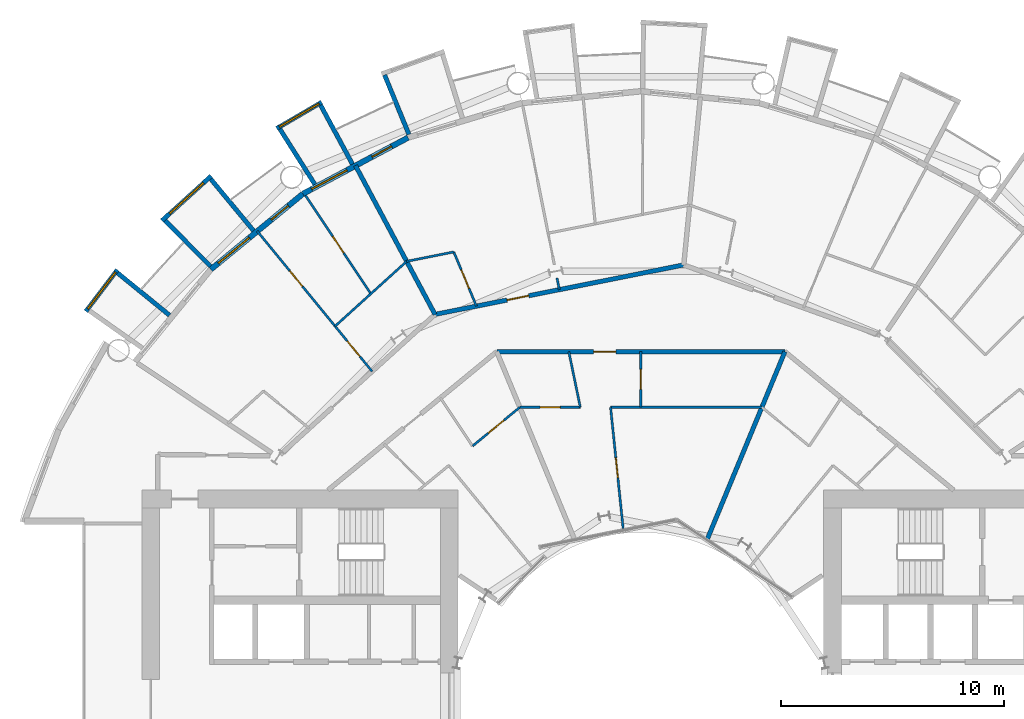
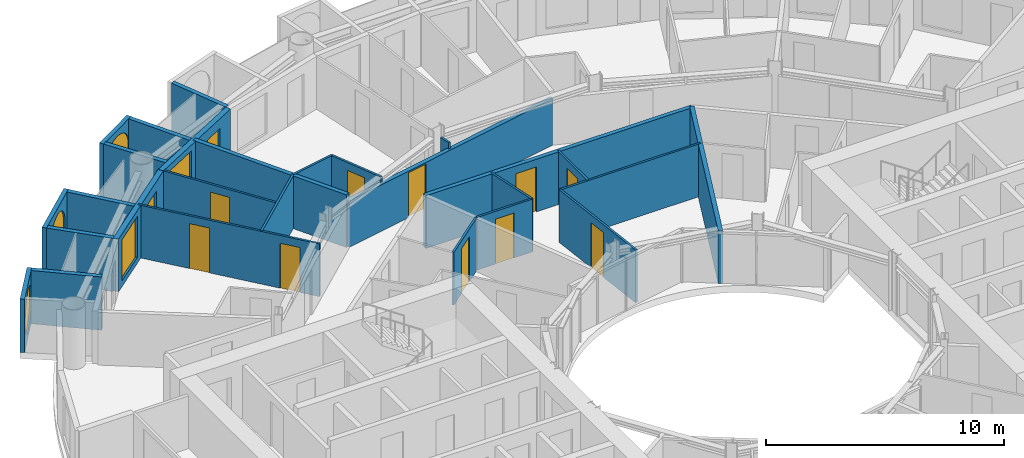
# One storey, part 19 of 26: 27 walls, 12 doors, 5 windows, 17 openings.
"""IFC4 building model written with IfcOpenShell, lengths in metres."""

from ifc_helpers import new_model, si_unit, direction, frame, frame_2d, origin, place, context, subcontext, project, spatial, rectangle, circle, extrude, material, layer, layer_set, type_object, element, fill, save


model = new_model("IFC4")

# Units and contexts
model_context = context("Model", 3, precision=1e-05, world=origin(), true_north=direction((0.0, 1.0)))
body_context = subcontext(model_context, "Body", "Model", "MODEL_VIEW")
ifc_project = project(units=[si_unit("LENGTHUNIT", "METRE"), si_unit("AREAUNIT", "SQUARE_METRE"), si_unit("VOLUMEUNIT", "CUBIC_METRE"), si_unit("PLANEANGLEUNIT", "RADIAN"), si_unit("MASSUNIT", "GRAM", prefix="KILO")], contexts=[model_context])

# Site, building, storey
site_placement = place(None, origin())
site = spatial("IfcSite", under=ifc_project, at=site_placement, CompositionType="ELEMENT")
building_placement = place(site_placement, origin())
building = spatial("IfcBuilding", under=site, at=building_placement, Name="Maasbend Ring Residences", CompositionType="ELEMENT")
storey_placement = place(building_placement, frame((0.0, 0.0, 35.0)))
storey = spatial("IfcBuildingStorey", under=building, at=storey_placement, Name="L09", CompositionType="ELEMENT", Elevation=35.0)

# Wall, opening, door
ifc_material_1 = material(Name="Concrete C30/37", Category="concrete")
ifc_layer_1 = layer(ifc_material_1, 0.199951171875)
ifc_layer_set_1 = layer_set([ifc_layer_1], Name="Concrete C30/37")
wall_type_1 = type_object("IfcWallType", Name="CORRIDOR WALL 200 CONCRETE", PredefinedType="PARTITIONING", material=ifc_layer_set_1)
wall_1_placement = place(storey_placement, frame((-6.467041015625, 15.614013671875, 0.0), z_axis=(0.0, 0.0, 1.0), x_axis=(1.0, 0.0, 0.0)))
wall_1 = element("IfcWall", 1, at=wall_1_placement, inside=storey, type_object=wall_type_1, Name="U-L09-w102", PredefinedType="PARTITIONING", context=body_context, shape_type="SweptSolid", body=[
    extrude(rectangle(XDim=12.93408203125, YDim=0.199951171875, at=frame_2d((6.467041015625, 0.0))), origin(), (0.0, 0.0, 1.0), 2.699951171875),
])
opening_1_placement = place(wall_1_placement, frame((4.35009765625, 0.0, 0.0)))
opening_1 = element("IfcOpeningElement", 2, at=opening_1_placement, cuts=wall_1, Name="Opening D-0925", PredefinedType="OPENING", context=body_context, shape_type="SweptSolid", body=[
    extrude(rectangle(XDim=1.0, YDim=2.300048828125, at=frame_2d((0.5, 1.14990234375))), frame((0.0, 0.10986328125, 0.0), z_axis=(0.0, -1.0, 0.0), x_axis=(1.0, 0.0, 0.0)), (0.0, 0.0, 1.0), 0.219970703125),
])
ifc_material_2 = material(Name="Timber, fire-rated, painted", Category="wood")
door_type_1 = type_object("IfcDoorType", Name="FLAT ENTRANCE DOOR 1000 X 2300 FIRE-RATED", OperationType="NOTDEFINED", PredefinedType="DOOR", material=ifc_material_2)
door_1_placement = place(opening_1_placement, origin())
door_1 = element("IfcDoor", 3, at=door_1_placement, inside=storey, type_object=door_type_1, Name="D-0925", OperationType="SINGLE_SWING_LEFT", OverallHeight=2.300048828125, OverallWidth=1.0, PredefinedType="DOOR", context=body_context, shape_type="SweptSolid", body=[
    extrude(rectangle(XDim=1.0, YDim=2.300048828125, at=frame_2d((0.5, 1.14990234375))), frame((0.0, 0.02490234375, 0.0), z_axis=(0.0, -1.0, 0.0), x_axis=(1.0, 0.0, 0.0)), (0.0, 0.0, 1.0), 0.050048828125),
])
fill(opening_1, door_1)

wall_2_placement = place(storey_placement, frame((-9.239013671875, 17.285888671875, 0.0), z_axis=(0.0, 0.0, 1.0), x_axis=(0.98077905287, 0.195121627328, 0.0)))
wall_2 = element("IfcWall", 4, at=wall_2_placement, inside=storey, type_object=wall_type_1, Name="U-L09-w105", PredefinedType="PARTITIONING", context=body_context, shape_type="SweptSolid", body=[
    extrude(rectangle(XDim=11.378662109375, YDim=0.199951171875, at=frame_2d((5.689453125, 0.0))), origin(), (0.0, 0.0, 1.0), 2.3798828125),
])
opening_2_placement = place(wall_2_placement, frame((3.29296875, 0.0, 0.0)))
opening_2 = element("IfcOpeningElement", 5, at=opening_2_placement, cuts=wall_2, Name="Opening D-0910", PredefinedType="OPENING", context=body_context, shape_type="SweptSolid", body=[
    extrude(rectangle(XDim=1.0, YDim=2.300048828125, at=frame_2d((0.5, 1.14990234375))), frame((0.0, 0.10986328125, 0.0), z_axis=(0.0, -1.0, 0.0), x_axis=(1.0, 0.0, 0.0)), (0.0, 0.0, 1.0), 0.219970703125),
])
door_2_placement = place(opening_2_placement, origin())
door_2 = element("IfcDoor", 6, at=door_2_placement, inside=storey, type_object=door_type_1, Name="D-0910", OperationType="SINGLE_SWING_LEFT", OverallHeight=2.300048828125, OverallWidth=1.0, PredefinedType="DOOR", context=body_context, shape_type="SweptSolid", body=[
    extrude(rectangle(XDim=1.0, YDim=2.300048828125, at=frame_2d((0.5, 1.14990234375))), frame((0.0, 0.02490234375, 0.0), z_axis=(0.0, -1.0, 0.0), x_axis=(1.0, 0.0, 0.0)), (0.0, 0.0, 1.0), 0.050048828125),
])
fill(opening_2, door_2)

# Wall
ifc_material_3 = material(Name="Pale anodised aluminium panel", Category="aluminium")
ifc_layer_2 = layer(ifc_material_3, 0.199951171875)
ifc_layer_set_2 = layer_set([ifc_layer_2], Name="EW-BOX")
wall_type_2 = type_object("IfcWallType", Name="EW-BOX", PredefinedType="SOLIDWALL", material=ifc_layer_set_2)
wall_3_placement = place(storey_placement, frame((-10.408935546875, 25.364013671875, -0.030029296875), z_axis=(0.0, 0.0, 1.0), x_axis=(-0.379509886562, 0.925187681501, 0.0)))
element("IfcWall", 7, at=wall_3_placement, inside=storey, type_object=wall_type_2, Name="Box side wall N14 right", PredefinedType="SOLIDWALL", context=body_context, shape_type="SweptSolid", body=[
    extrude(rectangle(XDim=2.882568359375, YDim=0.199951171875, at=frame_2d((1.44140625, 0.0))), origin(), (0.0, 0.0, 1.0), 2.72998046875),
])

# Wall, opening, window
wall_4_placement = place(storey_placement, frame((-14.326904296875, 26.81201171875, -0.030029296875), z_axis=(0.0, 0.0, 1.0), x_axis=(-0.863346521872, -0.504611517081, 0.0)))
wall_4 = element("IfcWall", 8, at=wall_4_placement, inside=storey, type_object=wall_type_2, Name="Box front N16", PredefinedType="SOLIDWALL", context=body_context, shape_type="SweptSolid", body=[
    extrude(rectangle(XDim=2.33642578125, YDim=0.199951171875, at=frame_2d((1.168212890625, 0.0))), origin(), (0.0, 0.0, 1.0), 2.72998046875),
])
opening_3_placement = place(wall_4_placement, frame((0.128173828125, 0.0, 0.330078125)))
opening_3 = element("IfcOpeningElement", 9, at=opening_3_placement, cuts=wall_4, Name="Opening W-RD", PredefinedType="OPENING", context=body_context, shape_type="SweptSolid", body=[
    extrude(circle(Radius=1.0400390625, at=frame_2d((1.0400390625, 1.0400390625))), frame((0.0, 0.10986328125, 0.0), z_axis=(0.0, -1.0, 0.0), x_axis=(1.0, 0.0, 0.0)), (0.0, 0.0, 1.0), 0.219970703125),
])
ifc_material_4 = material(Name="Aluminium and clear glass", Category="aluminium")
window_type_1 = type_object("IfcWindowType", Name="W-RD", PartitioningType="SINGLE_PANEL", PredefinedType="WINDOW", material=ifc_material_4)
window_1_placement = place(opening_3_placement, origin())
window_1 = element("IfcWindow", 10, at=window_1_placement, inside=storey, type_object=window_type_1, Name="Round window N16", OverallHeight=2.080078125, OverallWidth=2.080078125, PartitioningType="SINGLE_PANEL", PredefinedType="WINDOW", context=body_context, shape_type="SweptSolid", body=[
    extrude(circle(Radius=1.0400390625, at=frame_2d((1.0400390625, 1.0400390625))), frame((0.0, 0.030029296875, 0.0), z_axis=(0.0, -1.0, 0.0), x_axis=(1.0, 0.0, 0.0)), (0.0, 0.0, 1.0), 0.06005859375),
])
fill(opening_3, window_1)

# Walls
wall_5_placement = place(storey_placement, frame((-12.945068359375, 24.029052734375, -0.030029296875), z_axis=(0.0, 0.0, 1.0), x_axis=(-0.474424310775, 0.88029629861, 0.0)))
element("IfcWall", 11, at=wall_5_placement, inside=storey, type_object=wall_type_2, Name="Box side wall N16 left", PredefinedType="SOLIDWALL", context=body_context, shape_type="SweptSolid", body=[
    extrude(rectangle(XDim=3.005859375, YDim=0.199951171875, at=frame_2d((1.5029296875, 0.0))), origin(), (0.0, 0.0, 1.0), 2.72998046875),
])
wall_6_placement = place(storey_placement, frame((-14.635009765625, 23.1259765625, -0.030029296875), z_axis=(0.0, 0.0, 1.0), x_axis=(-0.534437802731, 0.845207805816, 0.0)))
element("IfcWall", 12, at=wall_6_placement, inside=storey, type_object=wall_type_2, Name="Box side wall N16 right", PredefinedType="SOLIDWALL", context=body_context, shape_type="SweptSolid", body=[
    extrude(rectangle(XDim=2.931884765625, YDim=0.199951171875, at=frame_2d((1.4658203125, 0.0))), origin(), (0.0, 0.0, 1.0), 2.72998046875),
])

# Wall, opening, window
wall_7_placement = place(storey_placement, frame((-19.281982421875, 23.5029296875, -0.030029296875), z_axis=(0.0, 0.0, 1.0), x_axis=(-0.740998365753, -0.671506829416, 0.0)))
wall_7 = element("IfcWall", 13, at=wall_7_placement, inside=storey, type_object=wall_type_2, Name="Box front N18", PredefinedType="SOLIDWALL", context=body_context, shape_type="SweptSolid", body=[
    extrude(rectangle(XDim=2.9931640625, YDim=0.199951171875, at=frame_2d((1.49658203125, 0.0))), origin(), (0.0, 0.0, 1.0), 2.72998046875),
])
opening_4_placement = place(wall_7_placement, frame((0.45654296875, 0.0, 0.330078125)))
opening_4 = element("IfcOpeningElement", 14, at=opening_4_placement, cuts=wall_7, Name="Opening W-RD", PredefinedType="OPENING", context=body_context, shape_type="SweptSolid", body=[
    extrude(circle(Radius=1.0400390625, at=frame_2d((1.0400390625, 1.0400390625))), frame((0.0, 0.10986328125, 0.0), z_axis=(0.0, -1.0, 0.0), x_axis=(1.0, 0.0, 0.0)), (0.0, 0.0, 1.0), 0.219970703125),
])
window_2_placement = place(opening_4_placement, origin())
window_2 = element("IfcWindow", 15, at=window_2_placement, inside=storey, type_object=window_type_1, Name="Round window N18", OverallHeight=2.080078125, OverallWidth=2.080078125, PartitioningType="SINGLE_PANEL", PredefinedType="WINDOW", context=body_context, shape_type="SweptSolid", body=[
    extrude(circle(Radius=1.0400390625, at=frame_2d((1.0400390625, 1.0400390625))), frame((0.0, 0.030029296875, 0.0), z_axis=(0.0, -1.0, 0.0), x_axis=(1.0, 0.0, 0.0)), (0.0, 0.0, 1.0), 0.06005859375),
])
fill(opening_4, window_2)

# Walls
wall_8_placement = place(storey_placement, frame((-17.384033203125, 21.041015625, -0.030029296875), z_axis=(0.0, 0.0, 1.0), x_axis=(-0.63709551667, 0.770784861449, 0.0)))
element("IfcWall", 16, at=wall_8_placement, inside=storey, type_object=wall_type_2, Name="Box side wall N18 left", PredefinedType="SOLIDWALL", context=body_context, shape_type="SweptSolid", body=[
    extrude(rectangle(XDim=3.005859375, YDim=0.199951171875, at=frame_2d((1.5029296875, 0.0))), origin(), (0.0, 0.0, 1.0), 2.72998046875),
])
wall_9_placement = place(storey_placement, frame((-19.322998046875, 19.449951171875, -0.030029296875), z_axis=(0.0, 0.0, 1.0), x_axis=(-0.704476739375, 0.709727076896, 0.0)))
element("IfcWall", 17, at=wall_9_placement, inside=storey, type_object=wall_type_2, Name="Box side wall N18 right", PredefinedType="SOLIDWALL", context=body_context, shape_type="SweptSolid", body=[
    extrude(rectangle(XDim=2.883056640625, YDim=0.199951171875, at=frame_2d((1.44140625, 0.0))), origin(), (0.0, 0.0, 1.0), 2.72998046875),
])

# Wall, opening, window
wall_10_placement = place(storey_placement, frame((-23.4970703125, 19.2890625, -0.030029296875), z_axis=(0.0, 0.0, 1.0), x_axis=(-0.60418752353, -0.796842165306, 0.0)))
wall_10 = element("IfcWall", 18, at=wall_10_placement, inside=storey, type_object=wall_type_2, Name="Box front N20", PredefinedType="SOLIDWALL", context=body_context, shape_type="SweptSolid", body=[
    extrude(rectangle(XDim=2.3369140625, YDim=0.199951171875, at=frame_2d((1.16845703125, 0.0))), origin(), (0.0, 0.0, 1.0), 2.72998046875),
])
opening_5_placement = place(wall_10_placement, frame((0.128173828125, 0.0, 0.330078125)))
opening_5 = element("IfcOpeningElement", 19, at=opening_5_placement, cuts=wall_10, Name="Opening W-RD", PredefinedType="OPENING", context=body_context, shape_type="SweptSolid", body=[
    extrude(circle(Radius=1.0400390625, at=frame_2d((1.0400390625, 1.0400390625))), frame((0.0, 0.10986328125, 0.0), z_axis=(0.0, -1.0, 0.0), x_axis=(1.0, 0.0, 0.0)), (0.0, 0.0, 1.0), 0.219970703125),
])
window_3_placement = place(opening_5_placement, origin())
window_3 = element("IfcWindow", 20, at=window_3_placement, inside=storey, type_object=window_type_1, Name="Round window N20", OverallHeight=2.080078125, OverallWidth=2.080078125, PartitioningType="SINGLE_PANEL", PredefinedType="WINDOW", context=body_context, shape_type="SweptSolid", body=[
    extrude(circle(Radius=1.0400390625, at=frame_2d((1.0400390625, 1.0400390625))), frame((0.0, 0.030029296875, 0.0), z_axis=(0.0, -1.0, 0.0), x_axis=(1.0, 0.0, 0.0)), (0.0, 0.0, 1.0), 0.06005859375),
])
fill(opening_5, window_3)

# Wall
wall_11_placement = place(storey_placement, frame((-21.155029296875, 17.24609375, -0.030029296875), z_axis=(0.0, 0.0, 1.0), x_axis=(-0.775179004516, 0.631741648902, 0.0)))
element("IfcWall", 21, at=wall_11_placement, inside=storey, type_object=wall_type_2, Name="Box side wall N20 left", PredefinedType="SOLIDWALL", context=body_context, shape_type="SweptSolid", body=[
    extrude(rectangle(XDim=3.005859375, YDim=0.199951171875, at=frame_2d((1.5029296875, 0.0))), origin(), (0.0, 0.0, 1.0), 2.72998046875),
])

# Wall, openings, door, window
ifc_material_5 = material(Name="Aluminium clad insulated panel", Category="aluminium")
ifc_layer_3 = layer(ifc_material_5, 0.25)
ifc_layer_set_3 = layer_set([ifc_layer_3], Name="EW-GL")
wall_type_3 = type_object("IfcWallType", Name="EW-GL", PredefinedType="SOLIDWALL", material=ifc_layer_set_3)
wall_12_placement = place(storey_placement, frame((-10.447021484375, 25.221923828125, 0.0), z_axis=(0.0, 0.0, 1.0), x_axis=(-0.881915646801, -0.471407246368, 0.0)))
wall_12 = element("IfcWall", 22, at=wall_12_placement, inside=storey, type_object=wall_type_3, Name="External wall N08", PredefinedType="SOLIDWALL", context=body_context, shape_type="SweptSolid", body=[
    extrude(rectangle(XDim=5.35205078125, YDim=0.25, at=frame_2d((2.676025390625, 0.0))), origin(), (0.0, 0.0, 1.0), 2.699951171875),
])
opening_6_placement = place(wall_12_placement, frame((0.841064453125, 0.0, 0.0)))
opening_6 = element("IfcOpeningElement", 23, at=opening_6_placement, cuts=wall_12, Name="Opening D-LG", PredefinedType="OPENING", context=body_context, shape_type="SweptSolid", body=[
    extrude(rectangle(XDim=1.0, YDim=2.199951171875, at=frame_2d((0.5, 1.10009765625))), frame((0.0, 0.135009765625, 0.0), z_axis=(0.0, -1.0, 0.0), x_axis=(1.0, 0.0, 0.0)), (0.0, 0.0, 1.0), 0.27001953125),
])
opening_7_placement = place(wall_12_placement, frame((3.110595703125, 0.0, 0.300048828125)))
opening_7 = element("IfcOpeningElement", 24, at=opening_7_placement, cuts=wall_12, Name="Opening W-BX", PredefinedType="OPENING", context=body_context, shape_type="SweptSolid", body=[
    extrude(rectangle(XDim=1.800048828125, YDim=2.10009765625, at=frame_2d((0.89990234375, 1.050048828125))), frame((0.0, 0.135009765625, 0.0), z_axis=(0.0, -1.0, 0.0), x_axis=(1.0, 0.0, 0.0)), (0.0, 0.0, 1.0), 0.27001953125),
])
ifc_material_6 = material(Name="Aluminium and clear glass", Category="aluminium")
door_type_2 = type_object("IfcDoorType", Name="D-LG", OperationType="SINGLE_SWING_LEFT", PredefinedType="DOOR", material=ifc_material_6)
door_3_placement = place(opening_6_placement, origin())
door_3 = element("IfcDoor", 25, at=door_3_placement, inside=storey, type_object=door_type_2, Name="Loggia door N15", OperationType="SINGLE_SWING_LEFT", OverallHeight=2.199951171875, OverallWidth=1.0, PredefinedType="DOOR", context=body_context, shape_type="SweptSolid", body=[
    extrude(rectangle(XDim=1.0, YDim=2.199951171875, at=frame_2d((0.5, 1.10009765625))), frame((0.0, 0.02490234375, 0.0), z_axis=(0.0, -1.0, 0.0), x_axis=(1.0, 0.0, 0.0)), (0.0, 0.0, 1.0), 0.050048828125),
])
fill(opening_6, door_3)
ifc_material_7 = material(Name="Aluminium and clear glass", Category="aluminium")
window_type_2 = type_object("IfcWindowType", Name="W-BX", PartitioningType="DOUBLE_PANEL_VERTICAL", PredefinedType="WINDOW", material=ifc_material_7)
window_4_placement = place(opening_7_placement, origin())
window_4 = element("IfcWindow", 26, at=window_4_placement, inside=storey, type_object=window_type_2, Name="Window N16 room to box", OverallHeight=2.10009765625, OverallWidth=1.800048828125, PartitioningType="SINGLE_PANEL", PredefinedType="WINDOW", context=body_context, shape_type="SweptSolid", body=[
    extrude(rectangle(XDim=1.800048828125, YDim=2.10009765625, at=frame_2d((0.89990234375, 1.050048828125))), frame((0.0, 0.030029296875, 0.0), z_axis=(0.0, -1.0, 0.0), x_axis=(1.0, 0.0, 0.0)), (0.0, 0.0, 1.0), 0.06005859375),
])
fill(opening_7, window_4)

wall_13_placement = place(storey_placement, frame((-15.1669921875, 22.698974609375, 0.0), z_axis=(0.0, 0.0, 1.0), x_axis=(-0.773019449054, -0.634382322723, 0.0)))
wall_13 = element("IfcWall", 27, at=wall_13_placement, inside=storey, type_object=wall_type_3, Name="External wall N09", PredefinedType="SOLIDWALL", context=body_context, shape_type="SweptSolid", body=[
    extrude(rectangle(XDim=5.351806640625, YDim=0.25, at=frame_2d((2.67578125, 0.0))), origin(), (0.0, 0.0, 1.0), 2.699951171875),
])
opening_8_placement = place(wall_13_placement, frame((0.841064453125, 0.0, 0.0)))
opening_8 = element("IfcOpeningElement", 28, at=opening_8_placement, cuts=wall_13, Name="Opening D-LG", PredefinedType="OPENING", context=body_context, shape_type="SweptSolid", body=[
    extrude(rectangle(XDim=1.0, YDim=2.199951171875, at=frame_2d((0.5, 1.10009765625))), frame((0.0, 0.135009765625, 0.0), z_axis=(0.0, -1.0, 0.0), x_axis=(1.0, 0.0, 0.0)), (0.0, 0.0, 1.0), 0.27001953125),
])
opening_9_placement = place(wall_13_placement, frame((3.110595703125, 0.0, 0.300048828125)))
opening_9 = element("IfcOpeningElement", 29, at=opening_9_placement, cuts=wall_13, Name="Opening W-BX", PredefinedType="OPENING", context=body_context, shape_type="SweptSolid", body=[
    extrude(rectangle(XDim=1.800048828125, YDim=2.10009765625, at=frame_2d((0.89990234375, 1.050048828125))), frame((0.0, 0.135009765625, 0.0), z_axis=(0.0, -1.0, 0.0), x_axis=(1.0, 0.0, 0.0)), (0.0, 0.0, 1.0), 0.27001953125),
])
door_4_placement = place(opening_8_placement, origin())
door_4 = element("IfcDoor", 30, at=door_4_placement, inside=storey, type_object=door_type_2, Name="Loggia door N17", OperationType="SINGLE_SWING_LEFT", OverallHeight=2.199951171875, OverallWidth=1.0, PredefinedType="DOOR", context=body_context, shape_type="SweptSolid", body=[
    extrude(rectangle(XDim=1.0, YDim=2.199951171875, at=frame_2d((0.5, 1.10009765625))), frame((0.0, 0.02490234375, 0.0), z_axis=(0.0, -1.0, 0.0), x_axis=(1.0, 0.0, 0.0)), (0.0, 0.0, 1.0), 0.050048828125),
])
fill(opening_8, door_4)
window_5_placement = place(opening_9_placement, origin())
window_5 = element("IfcWindow", 31, at=window_5_placement, inside=storey, type_object=window_type_2, Name="Window N18 room to box", OverallHeight=2.10009765625, OverallWidth=1.800048828125, PartitioningType="SINGLE_PANEL", PredefinedType="WINDOW", context=body_context, shape_type="SweptSolid", body=[
    extrude(rectangle(XDim=1.800048828125, YDim=2.10009765625, at=frame_2d((0.89990234375, 1.050048828125))), frame((0.0, 0.030029296875, 0.0), z_axis=(0.0, -1.0, 0.0), x_axis=(1.0, 0.0, 0.0)), (0.0, 0.0, 1.0), 0.06005859375),
])
fill(opening_9, window_5)

# Wall, openings, doors
ifc_material_8 = material(Name="Gypsum board on steel studs", Category="steel")
ifc_layer_4 = layer(ifc_material_8, 0.10009765625)
ifc_layer_set_4 = layer_set([ifc_layer_4], Name="PARTITION 100 GYPSUM")
wall_type_4 = type_object("IfcWallType", Name="PARTITION 100 GYPSUM", PredefinedType="PARTITIONING", material=ifc_layer_set_4)
wall_14_placement = place(storey_placement, frame((-17.218994140625, 21.02294921875, 0.0), z_axis=(0.0, 0.0, 1.0), x_axis=(0.633664062855, -0.773608334654, 0.0)))
wall_14 = element("IfcWall", 32, at=wall_14_placement, inside=storey, type_object=wall_type_4, Name="U-L09-w032", PredefinedType="PARTITIONING", context=body_context, shape_type="SweptSolid", body=[
    extrude(rectangle(XDim=8.138427734375, YDim=0.10009765625, at=frame_2d((4.0693359375, 0.0))), origin(), (0.0, 0.0, 1.0), 2.699951171875),
])
opening_10_placement = place(wall_14_placement, frame((6.376953125, 0.0, 0.0)))
opening_10 = element("IfcOpeningElement", 33, at=opening_10_placement, cuts=wall_14, Name="Opening D-0918", PredefinedType="OPENING", context=body_context, shape_type="SweptSolid", body=[
    extrude(rectangle(XDim=0.89990234375, YDim=2.300048828125, at=frame_2d((0.449951171875, 1.14990234375))), frame((0.0, 0.06005859375, 0.0), z_axis=(0.0, -1.0, 0.0), x_axis=(1.0, 0.0, 0.0)), (0.0, 0.0, 1.0), 0.1201171875),
])
opening_11_placement = place(wall_14_placement, frame((2.30810546875, 0.0, 0.0)))
opening_11 = element("IfcOpeningElement", 34, at=opening_11_placement, cuts=wall_14, Name="Opening D-0919", PredefinedType="OPENING", context=body_context, shape_type="SweptSolid", body=[
    extrude(rectangle(XDim=0.89990234375, YDim=2.300048828125, at=frame_2d((0.449951171875, 1.14990234375))), frame((0.0, 0.06005859375, 0.0), z_axis=(0.0, -1.0, 0.0), x_axis=(1.0, 0.0, 0.0)), (0.0, 0.0, 1.0), 0.1201171875),
])
ifc_material_9 = material(Name="Timber, painted", Category="wood")
door_type_3 = type_object("IfcDoorType", Name="INTERNAL DOOR 900 X 2300", OperationType="NOTDEFINED", PredefinedType="DOOR", material=ifc_material_9)
door_5_placement = place(opening_10_placement, origin())
door_5 = element("IfcDoor", 35, at=door_5_placement, inside=storey, type_object=door_type_3, Name="D-0918", OperationType="SINGLE_SWING_RIGHT", OverallHeight=2.300048828125, OverallWidth=0.89990234375, PredefinedType="DOOR", context=body_context, shape_type="SweptSolid", body=[
    extrude(rectangle(XDim=0.89990234375, YDim=2.300048828125, at=frame_2d((0.449951171875, 1.14990234375))), frame((0.0, 0.02490234375, 0.0), z_axis=(0.0, -1.0, 0.0), x_axis=(1.0, 0.0, 0.0)), (0.0, 0.0, 1.0), 0.050048828125),
])
fill(opening_10, door_5)
door_6_placement = place(opening_11_placement, origin())
door_6 = element("IfcDoor", 36, at=door_6_placement, inside=storey, type_object=door_type_3, Name="D-0919", OperationType="SINGLE_SWING_LEFT", OverallHeight=2.300048828125, OverallWidth=0.89990234375, PredefinedType="DOOR", context=body_context, shape_type="SweptSolid", body=[
    extrude(rectangle(XDim=0.89990234375, YDim=2.300048828125, at=frame_2d((0.449951171875, 1.14990234375))), frame((0.0, 0.02490234375, 0.0), z_axis=(0.0, -1.0, 0.0), x_axis=(1.0, 0.0, 0.0)), (0.0, 0.0, 1.0), 0.050048828125),
])
fill(opening_11, door_6)

# Wall, opening, door
wall_15_placement = place(storey_placement, frame((-15.053955078125, 22.6240234375, 0.0), z_axis=(0.0, 0.0, 1.0), x_axis=(0.553913391217, -0.832574294, 0.0)))
wall_15 = element("IfcWall", 37, at=wall_15_placement, inside=storey, type_object=wall_type_4, Name="U-L09-w035", PredefinedType="PARTITIONING", context=body_context, shape_type="SweptSolid", body=[
    extrude(rectangle(XDim=5.300537109375, YDim=0.10009765625, at=frame_2d((2.650390625, 0.0))), origin(), (0.0, 0.0, 1.0), 2.699951171875),
])
opening_12_placement = place(wall_15_placement, frame((2.199951171875, 0.0, 0.0)))
opening_12 = element("IfcOpeningElement", 38, at=opening_12_placement, cuts=wall_15, Name="Opening D-0920", PredefinedType="OPENING", context=body_context, shape_type="SweptSolid", body=[
    extrude(rectangle(XDim=0.89990234375, YDim=2.300048828125, at=frame_2d((0.449951171875, 1.14990234375))), frame((0.0, 0.06005859375, 0.0), z_axis=(0.0, -1.0, 0.0), x_axis=(1.0, 0.0, 0.0)), (0.0, 0.0, 1.0), 0.1201171875),
])
door_7_placement = place(opening_12_placement, origin())
door_7 = element("IfcDoor", 39, at=door_7_placement, inside=storey, type_object=door_type_3, Name="D-0920", OperationType="SINGLE_SWING_LEFT", OverallHeight=2.300048828125, OverallWidth=0.89990234375, PredefinedType="DOOR", context=body_context, shape_type="SweptSolid", body=[
    extrude(rectangle(XDim=0.89990234375, YDim=2.300048828125, at=frame_2d((0.449951171875, 1.14990234375))), frame((0.0, 0.02490234375, 0.0), z_axis=(0.0, -1.0, 0.0), x_axis=(1.0, 0.0, 0.0)), (0.0, 0.0, 1.0), 0.050048828125),
])
fill(opening_12, door_7)

wall_16_placement = place(storey_placement, frame((-8.39599609375, 20.087890625, 0.0), z_axis=(0.0, 0.0, 1.0), x_axis=(0.385844829344, -0.922563693014, 0.0)))
wall_16 = element("IfcWall", 40, at=wall_16_placement, inside=storey, type_object=wall_type_4, Name="U-L09-w045", PredefinedType="PARTITIONING", context=body_context, shape_type="SweptSolid", body=[
    extrude(rectangle(XDim=2.635986328125, YDim=0.10009765625, at=frame_2d((1.31787109375, 0.0))), origin(), (0.0, 0.0, 1.0), 2.699951171875),
])
opening_13_placement = place(wall_16_placement, frame((0.867919921875, 0.0, 0.0)))
opening_13 = element("IfcOpeningElement", 41, at=opening_13_placement, cuts=wall_16, Name="Opening D-0911", PredefinedType="OPENING", context=body_context, shape_type="SweptSolid", body=[
    extrude(rectangle(XDim=0.89990234375, YDim=2.300048828125, at=frame_2d((0.449951171875, 1.14990234375))), frame((0.0, 0.06005859375, 0.0), z_axis=(0.0, -1.0, 0.0), x_axis=(1.0, 0.0, 0.0)), (0.0, 0.0, 1.0), 0.1201171875),
])
door_8_placement = place(opening_13_placement, origin())
door_8 = element("IfcDoor", 42, at=door_8_placement, inside=storey, type_object=door_type_3, Name="D-0911", OperationType="SINGLE_SWING_LEFT", OverallHeight=2.300048828125, OverallWidth=0.89990234375, PredefinedType="DOOR", context=body_context, shape_type="SweptSolid", body=[
    extrude(rectangle(XDim=0.89990234375, YDim=2.300048828125, at=frame_2d((0.449951171875, 1.14990234375))), frame((0.0, 0.02490234375, 0.0), z_axis=(0.0, -1.0, 0.0), x_axis=(1.0, 0.0, 0.0)), (0.0, 0.0, 1.0), 0.050048828125),
])
fill(opening_13, door_8)

# Walls
wall_17_placement = place(storey_placement, frame((-3.762939453125, 18.9189453125, 0.0), z_axis=(0.0, 0.0, 1.0), x_axis=(0.195059361677, -0.98079143829, 0.0)))
element("IfcWall", 43, at=wall_17_placement, inside=storey, type_object=wall_type_4, Name="U-L09-w052", PredefinedType="PARTITIONING", context=body_context, shape_type="SweptSolid", body=[
    extrude(rectangle(XDim=0.533203125, YDim=0.10009765625, at=frame_2d((0.2666015625, 0.0))), origin(), (0.0, 0.0, 1.0), 2.699951171875),
])
wall_18_placement = place(storey_placement, frame((-3.23388671875, 15.614013671875, 0.0), z_axis=(0.0, 0.0, 1.0), x_axis=(0.202836883315, -0.97921254014, 0.0)))
element("IfcWall", 44, at=wall_18_placement, inside=storey, type_object=wall_type_4, Name="U-L09-w054", PredefinedType="PARTITIONING", context=body_context, shape_type="SweptSolid", body=[
    extrude(rectangle(XDim=2.548095703125, YDim=0.10009765625, at=frame_2d((1.27392578125, 0.0))), origin(), (0.0, 0.0, 1.0), 2.699951171875),
])

# Wall, opening, door
wall_19_placement = place(storey_placement, frame((-1.35888671875, 13.118896484375, 0.0), z_axis=(0.0, 0.0, 1.0), x_axis=(0.103118462411, -0.994669082012, 0.0)))
wall_19 = element("IfcWall", 45, at=wall_19_placement, inside=storey, type_object=wall_type_4, Name="U-L09-w057", PredefinedType="PARTITIONING", context=body_context, shape_type="SweptSolid", body=[
    extrude(rectangle(XDim=5.468994140625, YDim=0.10009765625, at=frame_2d((2.734375, 0.0))), origin(), (0.0, 0.0, 1.0), 2.699951171875),
])
opening_14_placement = place(wall_19_placement, frame((2.284912109375, 0.0, 0.0)))
opening_14 = element("IfcOpeningElement", 46, at=opening_14_placement, cuts=wall_19, Name="Opening D-0928", PredefinedType="OPENING", context=body_context, shape_type="SweptSolid", body=[
    extrude(rectangle(XDim=0.89990234375, YDim=2.300048828125, at=frame_2d((0.449951171875, 1.14990234375))), frame((0.0, 0.06005859375, 0.0), z_axis=(0.0, -1.0, 0.0), x_axis=(1.0, 0.0, 0.0)), (0.0, 0.0, 1.0), 0.1201171875),
])
door_9_placement = place(opening_14_placement, origin())
door_9 = element("IfcDoor", 47, at=door_9_placement, inside=storey, type_object=door_type_3, Name="D-0928", OperationType="SINGLE_SWING_RIGHT", OverallHeight=2.300048828125, OverallWidth=0.89990234375, PredefinedType="DOOR", context=body_context, shape_type="SweptSolid", body=[
    extrude(rectangle(XDim=0.89990234375, YDim=2.300048828125, at=frame_2d((0.449951171875, 1.14990234375))), frame((0.0, 0.02490234375, 0.0), z_axis=(0.0, -1.0, 0.0), x_axis=(1.0, 0.0, 0.0)), (0.0, 0.0, 1.0), 0.050048828125),
])
fill(opening_14, door_9)

wall_20_placement = place(storey_placement, frame((0.0, 13.118896484375, 0.0), z_axis=(0.0, 0.0, 1.0), x_axis=(0.0, 1.0, 0.0)))
wall_20 = element("IfcWall", 48, at=wall_20_placement, inside=storey, type_object=wall_type_4, Name="U-L09-w060", PredefinedType="PARTITIONING", context=body_context, shape_type="SweptSolid", body=[
    extrude(rectangle(XDim=2.4951171875, YDim=0.10009765625, at=frame_2d((1.24755859375, 0.0))), origin(), (0.0, 0.0, 1.0), 2.699951171875),
])
opening_15_placement = place(wall_20_placement, frame((0.798095703125, 0.0, 0.0)))
opening_15 = element("IfcOpeningElement", 49, at=opening_15_placement, cuts=wall_20, Name="Opening D-0927", PredefinedType="OPENING", context=body_context, shape_type="SweptSolid", body=[
    extrude(rectangle(XDim=0.89990234375, YDim=2.300048828125, at=frame_2d((0.449951171875, 1.14990234375))), frame((0.0, 0.06005859375, 0.0), z_axis=(0.0, -1.0, 0.0), x_axis=(1.0, 0.0, 0.0)), (0.0, 0.0, 1.0), 0.1201171875),
])
door_10_placement = place(opening_15_placement, origin())
door_10 = element("IfcDoor", 50, at=door_10_placement, inside=storey, type_object=door_type_3, Name="D-0927", OperationType="SINGLE_SWING_RIGHT", OverallHeight=2.300048828125, OverallWidth=0.89990234375, PredefinedType="DOOR", context=body_context, shape_type="SweptSolid", body=[
    extrude(rectangle(XDim=0.89990234375, YDim=2.300048828125, at=frame_2d((0.449951171875, 1.14990234375))), frame((0.0, 0.02490234375, 0.0), z_axis=(0.0, -1.0, 0.0), x_axis=(1.0, 0.0, 0.0)), (0.0, 0.0, 1.0), 0.050048828125),
])
fill(opening_15, door_10)

wall_21_placement = place(storey_placement, frame((-5.43408203125, 13.118896484375, 0.0), z_axis=(0.0, 0.0, 1.0), x_axis=(1.0, 0.0, 0.0)))
wall_21 = element("IfcWall", 51, at=wall_21_placement, inside=storey, type_object=wall_type_4, Name="U-L09-w096", PredefinedType="PARTITIONING", context=body_context, shape_type="SweptSolid", body=[
    extrude(rectangle(XDim=2.717041015625, YDim=0.10009765625, at=frame_2d((1.3583984375, 0.0))), origin(), (0.0, 0.0, 1.0), 2.699951171875),
])
opening_16_placement = place(wall_21_placement, frame((0.908935546875, 0.0, 0.0)))
opening_16 = element("IfcOpeningElement", 52, at=opening_16_placement, cuts=wall_21, Name="Opening D-0926", PredefinedType="OPENING", context=body_context, shape_type="SweptSolid", body=[
    extrude(rectangle(XDim=0.89990234375, YDim=2.300048828125, at=frame_2d((0.449951171875, 1.14990234375))), frame((0.0, 0.06005859375, 0.0), z_axis=(0.0, -1.0, 0.0), x_axis=(1.0, 0.0, 0.0)), (0.0, 0.0, 1.0), 0.1201171875),
])
door_11_placement = place(opening_16_placement, origin())
door_11 = element("IfcDoor", 53, at=door_11_placement, inside=storey, type_object=door_type_3, Name="D-0926", OperationType="SINGLE_SWING_RIGHT", OverallHeight=2.300048828125, OverallWidth=0.89990234375, PredefinedType="DOOR", context=body_context, shape_type="SweptSolid", body=[
    extrude(rectangle(XDim=0.89990234375, YDim=2.300048828125, at=frame_2d((0.449951171875, 1.14990234375))), frame((0.0, 0.02490234375, 0.0), z_axis=(0.0, -1.0, 0.0), x_axis=(1.0, 0.0, 0.0)), (0.0, 0.0, 1.0), 0.050048828125),
])
fill(opening_16, door_11)

# Wall
wall_22_placement = place(storey_placement, frame((-1.35888671875, 13.118896484375, 0.0), z_axis=(0.0, 0.0, 1.0), x_axis=(1.0, 0.0, 0.0)))
element("IfcWall", 54, at=wall_22_placement, inside=storey, type_object=wall_type_4, Name="U-L09-w097", PredefinedType="PARTITIONING", context=body_context, shape_type="SweptSolid", body=[
    extrude(rectangle(XDim=6.79296875, YDim=0.10009765625, at=frame_2d((3.396484375, 0.0))), origin(), (0.0, 0.0, 1.0), 2.699951171875),
])

# Wall, opening, door
wall_23_placement = place(storey_placement, frame((-7.552001953125, 11.37890625, 0.0), z_axis=(0.0, 0.0, 1.0), x_axis=(0.773323547924, 0.634011585246, 0.0)))
wall_23 = element("IfcWall", 55, at=wall_23_placement, inside=storey, type_object=wall_type_4, Name="U-L09-w099", PredefinedType="PARTITIONING", context=body_context, shape_type="SweptSolid", body=[
    extrude(rectangle(XDim=2.747802734375, YDim=0.10009765625, at=frame_2d((1.3740234375, 0.0))), origin(), (0.0, 0.0, 1.0), 2.699951171875),
])
opening_17_placement = place(wall_23_placement, frame((0.9169921875, 0.0, 0.0)))
opening_17 = element("IfcOpeningElement", 56, at=opening_17_placement, cuts=wall_23, Name="Opening D-0930", PredefinedType="OPENING", context=body_context, shape_type="SweptSolid", body=[
    extrude(rectangle(XDim=0.89990234375, YDim=2.300048828125, at=frame_2d((0.449951171875, 1.14990234375))), frame((0.0, 0.06005859375, 0.0), z_axis=(0.0, -1.0, 0.0), x_axis=(1.0, 0.0, 0.0)), (0.0, 0.0, 1.0), 0.1201171875),
])
door_12_placement = place(opening_17_placement, origin())
door_12 = element("IfcDoor", 57, at=door_12_placement, inside=storey, type_object=door_type_3, Name="D-0930", OperationType="SINGLE_SWING_LEFT", OverallHeight=2.300048828125, OverallWidth=0.89990234375, PredefinedType="DOOR", context=body_context, shape_type="SweptSolid", body=[
    extrude(rectangle(XDim=0.89990234375, YDim=2.300048828125, at=frame_2d((0.449951171875, 1.14990234375))), frame((0.0, 0.02490234375, 0.0), z_axis=(0.0, -1.0, 0.0), x_axis=(1.0, 0.0, 0.0)), (0.0, 0.0, 1.0), 0.050048828125),
])
fill(opening_17, door_12)

# Walls
wall_24_placement = place(storey_placement, frame((-10.510986328125, 19.6669921875, 0.0), z_axis=(0.0, 0.0, 1.0), x_axis=(0.980784706341, 0.195093208, 0.0)))
element("IfcWall", 58, at=wall_24_placement, inside=storey, type_object=wall_type_4, Name="U-L09-w109", PredefinedType="PARTITIONING", context=body_context, shape_type="SweptSolid", body=[
    extrude(rectangle(XDim=2.157470703125, YDim=0.10009765625, at=frame_2d((1.07861328125, 0.0))), origin(), (0.0, 0.0, 1.0), 2.699951171875),
])
wall_25_placement = place(storey_placement, frame((-13.72705078125, 16.75390625, 0.0), z_axis=(0.0, 0.0, 1.0), x_axis=(0.741134692738, 0.671356363804, 0.0)))
element("IfcWall", 59, at=wall_25_placement, inside=storey, type_object=wall_type_4, Name="U-L09-w112", PredefinedType="PARTITIONING", context=body_context, shape_type="SweptSolid", body=[
    extrude(rectangle(XDim=4.342041015625, YDim=0.10009765625, at=frame_2d((2.1708984375, 0.0))), origin(), (0.0, 0.0, 1.0), 2.699951171875),
])
ifc_material_10 = material(Name="Concrete C30/37", Category="concrete")
ifc_layer_5 = layer(ifc_material_10, 0.199951171875)
ifc_layer_set_5 = layer_set([ifc_layer_5], Name="Concrete C30/37")
wall_type_5 = type_object("IfcWallType", Name="PARTY WALL 200 CONCRETE", PredefinedType="PARTITIONING", material=ifc_layer_set_5)
wall_26_placement = place(storey_placement, frame((-12.81005859375, 23.966064453125, 0.0), z_axis=(0.0, 0.0, 1.0), x_axis=(0.471439510802, -0.881898399848, 0.0)))
element("IfcWall", 60, at=wall_26_placement, inside=storey, type_object=wall_type_5, Name="U-L09-w037", PredefinedType="PARTITIONING", context=body_context, shape_type="SweptSolid", body=[
    extrude(rectangle(XDim=7.57470703125, YDim=0.199951171875, at=frame_2d((3.787353515625, 0.0))), origin(), (0.0, 0.0, 1.0), 2.699951171875),
])
wall_27_placement = place(storey_placement, frame((2.955078125, 7.132080078125, 0.0), z_axis=(0.0, 0.0, 1.0), x_axis=(0.382556139466, 0.923932248683, 0.0)))
element("IfcWall", 61, at=wall_27_placement, inside=storey, type_object=wall_type_5, Name="U-L09-w066", PredefinedType="PARTITIONING", context=body_context, shape_type="SweptSolid", body=[
    extrude(rectangle(XDim=9.18017578125, YDim=0.199951171875, at=frame_2d((4.590087890625, 0.0))), origin(), (0.0, 0.0, 1.0), 2.699951171875),
])

save(model, "model.ifc")
